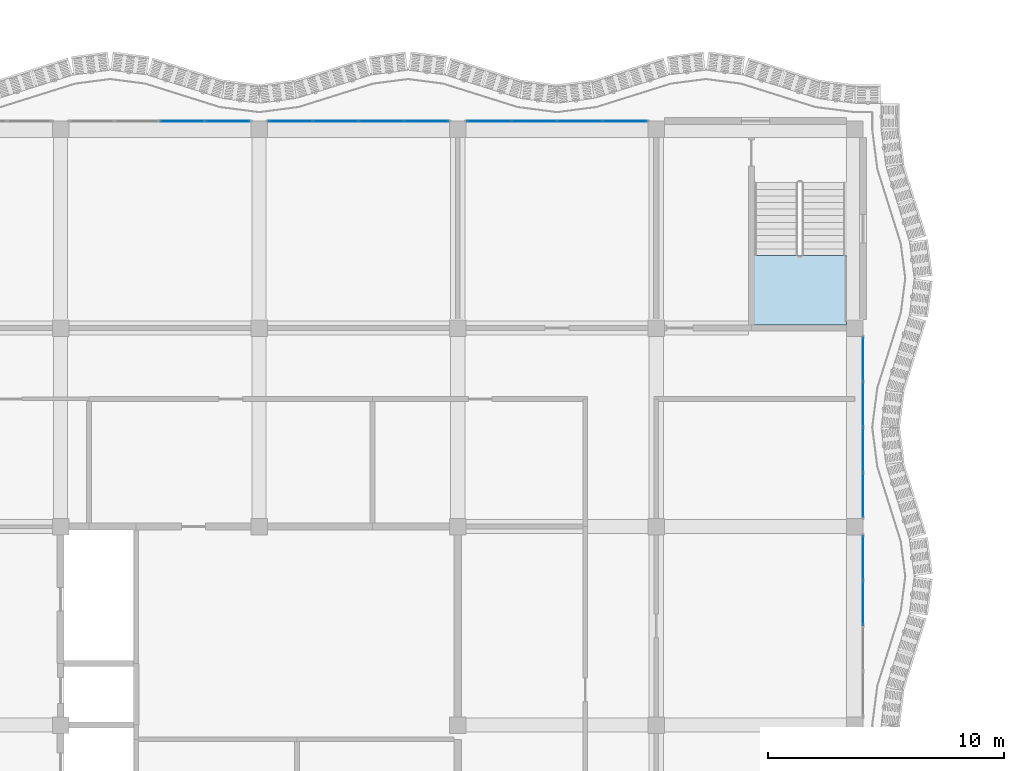
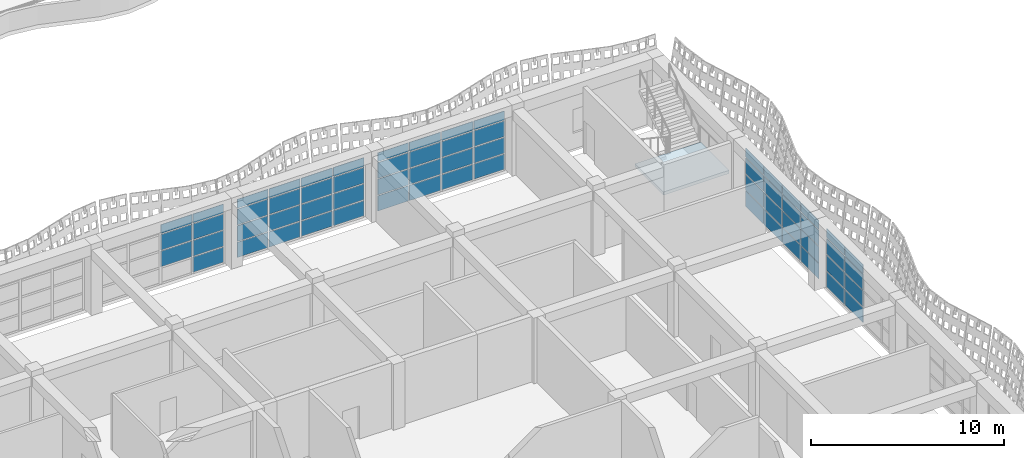
# One storey, part 99 of 163: 63 plates, 1 slab, 6 elements without a shape of their own.
"""IFC4 building model written with IfcOpenShell, lengths in metres."""

from ifc_helpers import new_model, si_unit, direction, frame, origin, origin_2d, place, context, subcontext, project, spatial, polyline, rectangle, outline, extrude, material, layer, layer_set, type_object, element, aggregate, save


model = new_model("IFC4")

# Units and contexts
model_context = context("Model", 3, precision=1e-05, world=origin(), true_north=direction((0.0, 1.0)))
body_context = subcontext(model_context, "Body", "Model", "MODEL_VIEW")
ifc_project = project(units=[si_unit("LENGTHUNIT", "METRE"), si_unit("AREAUNIT", "SQUARE_METRE"), si_unit("VOLUMEUNIT", "CUBIC_METRE"), si_unit("PLANEANGLEUNIT", "RADIAN"), si_unit("MASSUNIT", "GRAM", prefix="KILO")], contexts=[model_context])

# Site, building, storey
site_placement = place(None, origin())
site = spatial("IfcSite", under=ifc_project, at=site_placement, CompositionType="ELEMENT")
building_placement = place(site_placement, origin())
building = spatial("IfcBuilding", under=site, at=building_placement, Name="Rain Tree Exposition and Congress Centre", CompositionType="ELEMENT")
storey_placement = place(building_placement, frame((0.0, 0.0, 10.5)))
storey = spatial("IfcBuildingStorey", under=building, at=storey_placement, Name="L02", CompositionType="ELEMENT", Elevation=10.5)

# Curtain wall, plates
ifc_material_1 = material(Name="Aluminium curtain wall", Category="aluminium")
curtain_wall_type = type_object("IfcCurtainWallType", Name="Wing curtain wall 1925", PredefinedType="NOTDEFINED", material=ifc_material_1)
curtain_wall_1_placement = place(storey_placement, origin())
curtain_wall_1 = element("IfcCurtainWall", 1, at=curtain_wall_1_placement, inside=storey, type_object=curtain_wall_type, Name="Curtain wall CWW305", PredefinedType="NOTDEFINED")
ifc_material_2 = material(Name="Double glazed unit", Category="glass")
ifc_layer_1 = layer(ifc_material_2, 0.028076171875)
ifc_layer_set_1 = layer_set([ifc_layer_1], Name="Double glazed unit")
plate_type = type_object("IfcPlateType", Name="Wing glazing panel 28", PredefinedType="CURTAIN_PANEL", material=ifc_layer_set_1)
plate_1_placement = place(storey_placement, frame((21.96240234375, 50.75, 1.080078125), z_axis=(0.0, 0.0, 1.0), x_axis=(1.0, 0.0, 0.0)))
plate_1 = element("IfcPlate", 2, at=plate_1_placement, type_object=plate_type, Name="CWW305 panel 3.2", PredefinedType="CURTAIN_PANEL", context=body_context, shape_type="SweptSolid", body=[
    extrude(rectangle(XDim=1.864990234375, YDim=0.028076171875, at=origin_2d()), origin(), (0.0, 0.0, 1.0), 0.989990234375),
])
plate_2_placement = place(storey_placement, frame((21.96240234375, 50.75, 2.1298828125), z_axis=(0.0, 0.0, 1.0), x_axis=(1.0, 0.0, 0.0)))
plate_2 = element("IfcPlate", 3, at=plate_2_placement, type_object=plate_type, Name="CWW305 panel 3.3", PredefinedType="CURTAIN_PANEL", context=body_context, shape_type="SweptSolid", body=[
    extrude(rectangle(XDim=1.864990234375, YDim=0.028076171875, at=origin_2d()), origin(), (0.0, 0.0, 1.0), 0.989990234375),
])
plate_3_placement = place(storey_placement, frame((21.96240234375, 50.75, 3.179931640625), z_axis=(0.0, 0.0, 1.0), x_axis=(1.0, 0.0, 0.0)))
plate_3 = element("IfcPlate", 4, at=plate_3_placement, type_object=plate_type, Name="CWW305 panel 3.4", PredefinedType="CURTAIN_PANEL", context=body_context, shape_type="SweptSolid", body=[
    extrude(rectangle(XDim=1.864990234375, YDim=0.028076171875, at=origin_2d()), origin(), (0.0, 0.0, 1.0), 0.56005859375),
])
plate_4_placement = place(storey_placement, frame((23.87255859375, 50.75, 0.06005859375), z_axis=(0.0, 0.0, 1.0), x_axis=(1.0, 0.0, 0.0)))
plate_4 = element("IfcPlate", 5, at=plate_4_placement, type_object=plate_type, Name="CWW305 panel 4.1", PredefinedType="CURTAIN_PANEL", context=body_context, shape_type="SweptSolid", body=[
    extrude(rectangle(XDim=1.8349609375, YDim=0.028076171875, at=origin_2d()), origin(), (0.0, 0.0, 1.0), 0.9599609375),
])
plate_5_placement = place(storey_placement, frame((23.87255859375, 50.75, 1.080078125), z_axis=(0.0, 0.0, 1.0), x_axis=(1.0, 0.0, 0.0)))
plate_5 = element("IfcPlate", 6, at=plate_5_placement, type_object=plate_type, Name="CWW305 panel 4.2", PredefinedType="CURTAIN_PANEL", context=body_context, shape_type="SweptSolid", body=[
    extrude(rectangle(XDim=1.8349609375, YDim=0.028076171875, at=origin_2d()), origin(), (0.0, 0.0, 1.0), 0.989990234375),
])
plate_6_placement = place(storey_placement, frame((23.87255859375, 50.75, 2.1298828125), z_axis=(0.0, 0.0, 1.0), x_axis=(1.0, 0.0, 0.0)))
plate_6 = element("IfcPlate", 7, at=plate_6_placement, type_object=plate_type, Name="CWW305 panel 4.3", PredefinedType="CURTAIN_PANEL", context=body_context, shape_type="SweptSolid", body=[
    extrude(rectangle(XDim=1.8349609375, YDim=0.028076171875, at=origin_2d()), origin(), (0.0, 0.0, 1.0), 0.989990234375),
])
plate_7_placement = place(storey_placement, frame((23.87255859375, 50.75, 3.179931640625), z_axis=(0.0, 0.0, 1.0), x_axis=(1.0, 0.0, 0.0)))
plate_7 = element("IfcPlate", 8, at=plate_7_placement, type_object=plate_type, Name="CWW305 panel 4.4", PredefinedType="CURTAIN_PANEL", context=body_context, shape_type="SweptSolid", body=[
    extrude(rectangle(XDim=1.8349609375, YDim=0.028076171875, at=origin_2d()), origin(), (0.0, 0.0, 1.0), 0.56005859375),
])
aggregate(curtain_wall_1, [plate_1, plate_2, plate_3, plate_4, plate_5, plate_6, plate_7])

curtain_wall_2_placement = place(storey_placement, origin())
curtain_wall_2 = element("IfcCurtainWall", 9, at=curtain_wall_2_placement, inside=storey, type_object=curtain_wall_type, Name="Curtain wall CWW306", PredefinedType="NOTDEFINED")
plate_8_placement = place(storey_placement, frame((26.527587890625, 50.75, 0.06005859375), z_axis=(0.0, 0.0, 1.0), x_axis=(1.0, 0.0, 0.0)))
plate_8 = element("IfcPlate", 10, at=plate_8_placement, type_object=plate_type, Name="CWW306 panel 1.1", PredefinedType="CURTAIN_PANEL", context=body_context, shape_type="SweptSolid", body=[
    extrude(rectangle(XDim=1.8349609375, YDim=0.028076171875, at=origin_2d()), origin(), (0.0, 0.0, 1.0), 0.9599609375),
])
plate_9_placement = place(storey_placement, frame((26.527587890625, 50.75, 1.080078125), z_axis=(0.0, 0.0, 1.0), x_axis=(1.0, 0.0, 0.0)))
plate_9 = element("IfcPlate", 11, at=plate_9_placement, type_object=plate_type, Name="CWW306 panel 1.2", PredefinedType="CURTAIN_PANEL", context=body_context, shape_type="SweptSolid", body=[
    extrude(rectangle(XDim=1.8349609375, YDim=0.028076171875, at=origin_2d()), origin(), (0.0, 0.0, 1.0), 0.989990234375),
])
plate_10_placement = place(storey_placement, frame((26.527587890625, 50.75, 2.1298828125), z_axis=(0.0, 0.0, 1.0), x_axis=(1.0, 0.0, 0.0)))
plate_10 = element("IfcPlate", 12, at=plate_10_placement, type_object=plate_type, Name="CWW306 panel 1.3", PredefinedType="CURTAIN_PANEL", context=body_context, shape_type="SweptSolid", body=[
    extrude(rectangle(XDim=1.8349609375, YDim=0.028076171875, at=origin_2d()), origin(), (0.0, 0.0, 1.0), 0.989990234375),
])
plate_11_placement = place(storey_placement, frame((26.527587890625, 50.75, 3.179931640625), z_axis=(0.0, 0.0, 1.0), x_axis=(1.0, 0.0, 0.0)))
plate_11 = element("IfcPlate", 13, at=plate_11_placement, type_object=plate_type, Name="CWW306 panel 1.4", PredefinedType="CURTAIN_PANEL", context=body_context, shape_type="SweptSolid", body=[
    extrude(rectangle(XDim=1.8349609375, YDim=0.028076171875, at=origin_2d()), origin(), (0.0, 0.0, 1.0), 0.56005859375),
])
plate_12_placement = place(storey_placement, frame((28.4375, 50.75, 0.06005859375), z_axis=(0.0, 0.0, 1.0), x_axis=(1.0, 0.0, 0.0)))
plate_12 = element("IfcPlate", 14, at=plate_12_placement, type_object=plate_type, Name="CWW306 panel 2.1", PredefinedType="CURTAIN_PANEL", context=body_context, shape_type="SweptSolid", body=[
    extrude(rectangle(XDim=1.864990234375, YDim=0.028076171875, at=origin_2d()), origin(), (0.0, 0.0, 1.0), 0.9599609375),
])
plate_13_placement = place(storey_placement, frame((28.4375, 50.75, 1.080078125), z_axis=(0.0, 0.0, 1.0), x_axis=(1.0, 0.0, 0.0)))
plate_13 = element("IfcPlate", 15, at=plate_13_placement, type_object=plate_type, Name="CWW306 panel 2.2", PredefinedType="CURTAIN_PANEL", context=body_context, shape_type="SweptSolid", body=[
    extrude(rectangle(XDim=1.864990234375, YDim=0.028076171875, at=origin_2d()), origin(), (0.0, 0.0, 1.0), 0.989990234375),
])
plate_14_placement = place(storey_placement, frame((28.4375, 50.75, 2.1298828125), z_axis=(0.0, 0.0, 1.0), x_axis=(1.0, 0.0, 0.0)))
plate_14 = element("IfcPlate", 16, at=plate_14_placement, type_object=plate_type, Name="CWW306 panel 2.3", PredefinedType="CURTAIN_PANEL", context=body_context, shape_type="SweptSolid", body=[
    extrude(rectangle(XDim=1.864990234375, YDim=0.028076171875, at=origin_2d()), origin(), (0.0, 0.0, 1.0), 0.989990234375),
])
plate_15_placement = place(storey_placement, frame((28.4375, 50.75, 3.179931640625), z_axis=(0.0, 0.0, 1.0), x_axis=(1.0, 0.0, 0.0)))
plate_15 = element("IfcPlate", 17, at=plate_15_placement, type_object=plate_type, Name="CWW306 panel 2.4", PredefinedType="CURTAIN_PANEL", context=body_context, shape_type="SweptSolid", body=[
    extrude(rectangle(XDim=1.864990234375, YDim=0.028076171875, at=origin_2d()), origin(), (0.0, 0.0, 1.0), 0.56005859375),
])
plate_16_placement = place(storey_placement, frame((30.362548828125, 50.75, 0.06005859375), z_axis=(0.0, 0.0, 1.0), x_axis=(1.0, 0.0, 0.0)))
plate_16 = element("IfcPlate", 18, at=plate_16_placement, type_object=plate_type, Name="CWW306 panel 3.1", PredefinedType="CURTAIN_PANEL", context=body_context, shape_type="SweptSolid", body=[
    extrude(rectangle(XDim=1.864990234375, YDim=0.028076171875, at=origin_2d()), origin(), (0.0, 0.0, 1.0), 0.9599609375),
])
plate_17_placement = place(storey_placement, frame((30.362548828125, 50.75, 1.080078125), z_axis=(0.0, 0.0, 1.0), x_axis=(1.0, 0.0, 0.0)))
plate_17 = element("IfcPlate", 19, at=plate_17_placement, type_object=plate_type, Name="CWW306 panel 3.2", PredefinedType="CURTAIN_PANEL", context=body_context, shape_type="SweptSolid", body=[
    extrude(rectangle(XDim=1.864990234375, YDim=0.028076171875, at=origin_2d()), origin(), (0.0, 0.0, 1.0), 0.989990234375),
])
plate_18_placement = place(storey_placement, frame((30.362548828125, 50.75, 2.1298828125), z_axis=(0.0, 0.0, 1.0), x_axis=(1.0, 0.0, 0.0)))
plate_18 = element("IfcPlate", 20, at=plate_18_placement, type_object=plate_type, Name="CWW306 panel 3.3", PredefinedType="CURTAIN_PANEL", context=body_context, shape_type="SweptSolid", body=[
    extrude(rectangle(XDim=1.864990234375, YDim=0.028076171875, at=origin_2d()), origin(), (0.0, 0.0, 1.0), 0.989990234375),
])
plate_19_placement = place(storey_placement, frame((30.362548828125, 50.75, 3.179931640625), z_axis=(0.0, 0.0, 1.0), x_axis=(1.0, 0.0, 0.0)))
plate_19 = element("IfcPlate", 21, at=plate_19_placement, type_object=plate_type, Name="CWW306 panel 3.4", PredefinedType="CURTAIN_PANEL", context=body_context, shape_type="SweptSolid", body=[
    extrude(rectangle(XDim=1.864990234375, YDim=0.028076171875, at=origin_2d()), origin(), (0.0, 0.0, 1.0), 0.56005859375),
])
plate_20_placement = place(storey_placement, frame((32.2724609375, 50.75, 0.06005859375), z_axis=(0.0, 0.0, 1.0), x_axis=(1.0, 0.0, 0.0)))
plate_20 = element("IfcPlate", 22, at=plate_20_placement, type_object=plate_type, Name="CWW306 panel 4.1", PredefinedType="CURTAIN_PANEL", context=body_context, shape_type="SweptSolid", body=[
    extrude(rectangle(XDim=1.8349609375, YDim=0.028076171875, at=origin_2d()), origin(), (0.0, 0.0, 1.0), 0.9599609375),
])
plate_21_placement = place(storey_placement, frame((32.2724609375, 50.75, 1.080078125), z_axis=(0.0, 0.0, 1.0), x_axis=(1.0, 0.0, 0.0)))
plate_21 = element("IfcPlate", 23, at=plate_21_placement, type_object=plate_type, Name="CWW306 panel 4.2", PredefinedType="CURTAIN_PANEL", context=body_context, shape_type="SweptSolid", body=[
    extrude(rectangle(XDim=1.8349609375, YDim=0.028076171875, at=origin_2d()), origin(), (0.0, 0.0, 1.0), 0.989990234375),
])
plate_22_placement = place(storey_placement, frame((32.2724609375, 50.75, 2.1298828125), z_axis=(0.0, 0.0, 1.0), x_axis=(1.0, 0.0, 0.0)))
plate_22 = element("IfcPlate", 24, at=plate_22_placement, type_object=plate_type, Name="CWW306 panel 4.3", PredefinedType="CURTAIN_PANEL", context=body_context, shape_type="SweptSolid", body=[
    extrude(rectangle(XDim=1.8349609375, YDim=0.028076171875, at=origin_2d()), origin(), (0.0, 0.0, 1.0), 0.989990234375),
])
plate_23_placement = place(storey_placement, frame((32.2724609375, 50.75, 3.179931640625), z_axis=(0.0, 0.0, 1.0), x_axis=(1.0, 0.0, 0.0)))
plate_23 = element("IfcPlate", 25, at=plate_23_placement, type_object=plate_type, Name="CWW306 panel 4.4", PredefinedType="CURTAIN_PANEL", context=body_context, shape_type="SweptSolid", body=[
    extrude(rectangle(XDim=1.8349609375, YDim=0.028076171875, at=origin_2d()), origin(), (0.0, 0.0, 1.0), 0.56005859375),
])
aggregate(curtain_wall_2, [plate_8, plate_9, plate_10, plate_11, plate_12, plate_13, plate_14, plate_15, plate_16, plate_17, plate_18, plate_19, plate_20, plate_21, plate_22, plate_23])

curtain_wall_3_placement = place(storey_placement, origin())
curtain_wall_3 = element("IfcCurtainWall", 26, at=curtain_wall_3_placement, inside=storey, type_object=curtain_wall_type, Name="Curtain wall CWW307", PredefinedType="NOTDEFINED")
plate_24_placement = place(storey_placement, frame((34.927490234375, 50.75, 0.06005859375), z_axis=(0.0, 0.0, 1.0), x_axis=(1.0, 0.0, 0.0)))
plate_24 = element("IfcPlate", 27, at=plate_24_placement, type_object=plate_type, Name="CWW307 panel 1.1", PredefinedType="CURTAIN_PANEL", context=body_context, shape_type="SweptSolid", body=[
    extrude(rectangle(XDim=1.8349609375, YDim=0.028076171875, at=origin_2d()), origin(), (0.0, 0.0, 1.0), 0.9599609375),
])
plate_25_placement = place(storey_placement, frame((34.927490234375, 50.75, 1.080078125), z_axis=(0.0, 0.0, 1.0), x_axis=(1.0, 0.0, 0.0)))
plate_25 = element("IfcPlate", 28, at=plate_25_placement, type_object=plate_type, Name="CWW307 panel 1.2", PredefinedType="CURTAIN_PANEL", context=body_context, shape_type="SweptSolid", body=[
    extrude(rectangle(XDim=1.8349609375, YDim=0.028076171875, at=origin_2d()), origin(), (0.0, 0.0, 1.0), 0.989990234375),
])
plate_26_placement = place(storey_placement, frame((34.927490234375, 50.75, 2.1298828125), z_axis=(0.0, 0.0, 1.0), x_axis=(1.0, 0.0, 0.0)))
plate_26 = element("IfcPlate", 29, at=plate_26_placement, type_object=plate_type, Name="CWW307 panel 1.3", PredefinedType="CURTAIN_PANEL", context=body_context, shape_type="SweptSolid", body=[
    extrude(rectangle(XDim=1.8349609375, YDim=0.028076171875, at=origin_2d()), origin(), (0.0, 0.0, 1.0), 0.989990234375),
])
plate_27_placement = place(storey_placement, frame((34.927490234375, 50.75, 3.179931640625), z_axis=(0.0, 0.0, 1.0), x_axis=(1.0, 0.0, 0.0)))
plate_27 = element("IfcPlate", 30, at=plate_27_placement, type_object=plate_type, Name="CWW307 panel 1.4", PredefinedType="CURTAIN_PANEL", context=body_context, shape_type="SweptSolid", body=[
    extrude(rectangle(XDim=1.8349609375, YDim=0.028076171875, at=origin_2d()), origin(), (0.0, 0.0, 1.0), 0.56005859375),
])
plate_28_placement = place(storey_placement, frame((36.83740234375, 50.75, 0.06005859375), z_axis=(0.0, 0.0, 1.0), x_axis=(1.0, 0.0, 0.0)))
plate_28 = element("IfcPlate", 31, at=plate_28_placement, type_object=plate_type, Name="CWW307 panel 2.1", PredefinedType="CURTAIN_PANEL", context=body_context, shape_type="SweptSolid", body=[
    extrude(rectangle(XDim=1.864990234375, YDim=0.028076171875, at=origin_2d()), origin(), (0.0, 0.0, 1.0), 0.9599609375),
])
plate_29_placement = place(storey_placement, frame((36.83740234375, 50.75, 1.080078125), z_axis=(0.0, 0.0, 1.0), x_axis=(1.0, 0.0, 0.0)))
plate_29 = element("IfcPlate", 32, at=plate_29_placement, type_object=plate_type, Name="CWW307 panel 2.2", PredefinedType="CURTAIN_PANEL", context=body_context, shape_type="SweptSolid", body=[
    extrude(rectangle(XDim=1.864990234375, YDim=0.028076171875, at=origin_2d()), origin(), (0.0, 0.0, 1.0), 0.989990234375),
])
plate_30_placement = place(storey_placement, frame((36.83740234375, 50.75, 2.1298828125), z_axis=(0.0, 0.0, 1.0), x_axis=(1.0, 0.0, 0.0)))
plate_30 = element("IfcPlate", 33, at=plate_30_placement, type_object=plate_type, Name="CWW307 panel 2.3", PredefinedType="CURTAIN_PANEL", context=body_context, shape_type="SweptSolid", body=[
    extrude(rectangle(XDim=1.864990234375, YDim=0.028076171875, at=origin_2d()), origin(), (0.0, 0.0, 1.0), 0.989990234375),
])
plate_31_placement = place(storey_placement, frame((36.83740234375, 50.75, 3.179931640625), z_axis=(0.0, 0.0, 1.0), x_axis=(1.0, 0.0, 0.0)))
plate_31 = element("IfcPlate", 34, at=plate_31_placement, type_object=plate_type, Name="CWW307 panel 2.4", PredefinedType="CURTAIN_PANEL", context=body_context, shape_type="SweptSolid", body=[
    extrude(rectangle(XDim=1.864990234375, YDim=0.028076171875, at=origin_2d()), origin(), (0.0, 0.0, 1.0), 0.56005859375),
])
plate_32_placement = place(storey_placement, frame((38.762451171875, 50.75, 0.06005859375), z_axis=(0.0, 0.0, 1.0), x_axis=(1.0, 0.0, 0.0)))
plate_32 = element("IfcPlate", 35, at=plate_32_placement, type_object=plate_type, Name="CWW307 panel 3.1", PredefinedType="CURTAIN_PANEL", context=body_context, shape_type="SweptSolid", body=[
    extrude(rectangle(XDim=1.864990234375, YDim=0.028076171875, at=origin_2d()), origin(), (0.0, 0.0, 1.0), 0.9599609375),
])
plate_33_placement = place(storey_placement, frame((38.762451171875, 50.75, 1.080078125), z_axis=(0.0, 0.0, 1.0), x_axis=(1.0, 0.0, 0.0)))
plate_33 = element("IfcPlate", 36, at=plate_33_placement, type_object=plate_type, Name="CWW307 panel 3.2", PredefinedType="CURTAIN_PANEL", context=body_context, shape_type="SweptSolid", body=[
    extrude(rectangle(XDim=1.864990234375, YDim=0.028076171875, at=origin_2d()), origin(), (0.0, 0.0, 1.0), 0.989990234375),
])
plate_34_placement = place(storey_placement, frame((38.762451171875, 50.75, 2.1298828125), z_axis=(0.0, 0.0, 1.0), x_axis=(1.0, 0.0, 0.0)))
plate_34 = element("IfcPlate", 37, at=plate_34_placement, type_object=plate_type, Name="CWW307 panel 3.3", PredefinedType="CURTAIN_PANEL", context=body_context, shape_type="SweptSolid", body=[
    extrude(rectangle(XDim=1.864990234375, YDim=0.028076171875, at=origin_2d()), origin(), (0.0, 0.0, 1.0), 0.989990234375),
])
plate_35_placement = place(storey_placement, frame((38.762451171875, 50.75, 3.179931640625), z_axis=(0.0, 0.0, 1.0), x_axis=(1.0, 0.0, 0.0)))
plate_35 = element("IfcPlate", 38, at=plate_35_placement, type_object=plate_type, Name="CWW307 panel 3.4", PredefinedType="CURTAIN_PANEL", context=body_context, shape_type="SweptSolid", body=[
    extrude(rectangle(XDim=1.864990234375, YDim=0.028076171875, at=origin_2d()), origin(), (0.0, 0.0, 1.0), 0.56005859375),
])
plate_36_placement = place(storey_placement, frame((40.672607421875, 50.75, 0.06005859375), z_axis=(0.0, 0.0, 1.0), x_axis=(1.0, 0.0, 0.0)))
plate_36 = element("IfcPlate", 39, at=plate_36_placement, type_object=plate_type, Name="CWW307 panel 4.1", PredefinedType="CURTAIN_PANEL", context=body_context, shape_type="SweptSolid", body=[
    extrude(rectangle(XDim=1.8349609375, YDim=0.028076171875, at=origin_2d()), origin(), (0.0, 0.0, 1.0), 0.9599609375),
])
plate_37_placement = place(storey_placement, frame((40.672607421875, 50.75, 1.080078125), z_axis=(0.0, 0.0, 1.0), x_axis=(1.0, 0.0, 0.0)))
plate_37 = element("IfcPlate", 40, at=plate_37_placement, type_object=plate_type, Name="CWW307 panel 4.2", PredefinedType="CURTAIN_PANEL", context=body_context, shape_type="SweptSolid", body=[
    extrude(rectangle(XDim=1.8349609375, YDim=0.028076171875, at=origin_2d()), origin(), (0.0, 0.0, 1.0), 0.989990234375),
])
plate_38_placement = place(storey_placement, frame((40.672607421875, 50.75, 2.1298828125), z_axis=(0.0, 0.0, 1.0), x_axis=(1.0, 0.0, 0.0)))
plate_38 = element("IfcPlate", 41, at=plate_38_placement, type_object=plate_type, Name="CWW307 panel 4.3", PredefinedType="CURTAIN_PANEL", context=body_context, shape_type="SweptSolid", body=[
    extrude(rectangle(XDim=1.8349609375, YDim=0.028076171875, at=origin_2d()), origin(), (0.0, 0.0, 1.0), 0.989990234375),
])
plate_39_placement = place(storey_placement, frame((40.672607421875, 50.75, 3.179931640625), z_axis=(0.0, 0.0, 1.0), x_axis=(1.0, 0.0, 0.0)))
plate_39 = element("IfcPlate", 42, at=plate_39_placement, type_object=plate_type, Name="CWW307 panel 4.4", PredefinedType="CURTAIN_PANEL", context=body_context, shape_type="SweptSolid", body=[
    extrude(rectangle(XDim=1.8349609375, YDim=0.028076171875, at=origin_2d()), origin(), (0.0, 0.0, 1.0), 0.56005859375),
])
aggregate(curtain_wall_3, [plate_24, plate_25, plate_26, plate_27, plate_28, plate_29, plate_30, plate_31, plate_32, plate_33, plate_34, plate_35, plate_36, plate_37, plate_38, plate_39])

curtain_wall_4_placement = place(storey_placement, origin())
curtain_wall_4 = element("IfcCurtainWall", 43, at=curtain_wall_4_placement, inside=storey, type_object=curtain_wall_type, Name="Curtain wall CWW314", PredefinedType="NOTDEFINED")
plate_40_placement = place(storey_placement, frame((50.75, 30.362548828125, 0.06005859375), z_axis=(0.0, 0.0, 1.0), x_axis=(0.0, 1.0, 0.0)))
plate_40 = element("IfcPlate", 44, at=plate_40_placement, type_object=plate_type, Name="CWW314 panel 3.1", PredefinedType="CURTAIN_PANEL", context=body_context, shape_type="SweptSolid", body=[
    extrude(rectangle(XDim=1.864990234375, YDim=0.028076171875, at=origin_2d()), origin(), (0.0, 0.0, 1.0), 0.9599609375),
])
plate_41_placement = place(storey_placement, frame((50.75, 30.362548828125, 1.080078125), z_axis=(0.0, 0.0, 1.0), x_axis=(0.0, 1.0, 0.0)))
plate_41 = element("IfcPlate", 45, at=plate_41_placement, type_object=plate_type, Name="CWW314 panel 3.2", PredefinedType="CURTAIN_PANEL", context=body_context, shape_type="SweptSolid", body=[
    extrude(rectangle(XDim=1.864990234375, YDim=0.028076171875, at=origin_2d()), origin(), (0.0, 0.0, 1.0), 0.989990234375),
])
plate_42_placement = place(storey_placement, frame((50.75, 30.362548828125, 2.1298828125), z_axis=(0.0, 0.0, 1.0), x_axis=(0.0, 1.0, 0.0)))
plate_42 = element("IfcPlate", 46, at=plate_42_placement, type_object=plate_type, Name="CWW314 panel 3.3", PredefinedType="CURTAIN_PANEL", context=body_context, shape_type="SweptSolid", body=[
    extrude(rectangle(XDim=1.864990234375, YDim=0.028076171875, at=origin_2d()), origin(), (0.0, 0.0, 1.0), 0.989990234375),
])
plate_43_placement = place(storey_placement, frame((50.75, 30.362548828125, 3.179931640625), z_axis=(0.0, 0.0, 1.0), x_axis=(0.0, 1.0, 0.0)))
plate_43 = element("IfcPlate", 47, at=plate_43_placement, type_object=plate_type, Name="CWW314 panel 3.4", PredefinedType="CURTAIN_PANEL", context=body_context, shape_type="SweptSolid", body=[
    extrude(rectangle(XDim=1.864990234375, YDim=0.028076171875, at=origin_2d()), origin(), (0.0, 0.0, 1.0), 0.56005859375),
])
plate_44_placement = place(storey_placement, frame((50.75, 32.2724609375, 0.06005859375), z_axis=(0.0, 0.0, 1.0), x_axis=(0.0, 1.0, 0.0)))
plate_44 = element("IfcPlate", 48, at=plate_44_placement, type_object=plate_type, Name="CWW314 panel 4.1", PredefinedType="CURTAIN_PANEL", context=body_context, shape_type="SweptSolid", body=[
    extrude(rectangle(XDim=1.8349609375, YDim=0.028076171875, at=origin_2d()), origin(), (0.0, 0.0, 1.0), 0.9599609375),
])
plate_45_placement = place(storey_placement, frame((50.75, 32.2724609375, 1.080078125), z_axis=(0.0, 0.0, 1.0), x_axis=(0.0, 1.0, 0.0)))
plate_45 = element("IfcPlate", 49, at=plate_45_placement, type_object=plate_type, Name="CWW314 panel 4.2", PredefinedType="CURTAIN_PANEL", context=body_context, shape_type="SweptSolid", body=[
    extrude(rectangle(XDim=1.8349609375, YDim=0.028076171875, at=origin_2d()), origin(), (0.0, 0.0, 1.0), 0.989990234375),
])
plate_46_placement = place(storey_placement, frame((50.75, 32.2724609375, 2.1298828125), z_axis=(0.0, 0.0, 1.0), x_axis=(0.0, 1.0, 0.0)))
plate_46 = element("IfcPlate", 50, at=plate_46_placement, type_object=plate_type, Name="CWW314 panel 4.3", PredefinedType="CURTAIN_PANEL", context=body_context, shape_type="SweptSolid", body=[
    extrude(rectangle(XDim=1.8349609375, YDim=0.028076171875, at=origin_2d()), origin(), (0.0, 0.0, 1.0), 0.989990234375),
])
plate_47_placement = place(storey_placement, frame((50.75, 32.2724609375, 3.179931640625), z_axis=(0.0, 0.0, 1.0), x_axis=(0.0, 1.0, 0.0)))
plate_47 = element("IfcPlate", 51, at=plate_47_placement, type_object=plate_type, Name="CWW314 panel 4.4", PredefinedType="CURTAIN_PANEL", context=body_context, shape_type="SweptSolid", body=[
    extrude(rectangle(XDim=1.8349609375, YDim=0.028076171875, at=origin_2d()), origin(), (0.0, 0.0, 1.0), 0.56005859375),
])
aggregate(curtain_wall_4, [plate_40, plate_41, plate_42, plate_43, plate_44, plate_45, plate_46, plate_47])

curtain_wall_5_placement = place(storey_placement, origin())
curtain_wall_5 = element("IfcCurtainWall", 52, at=curtain_wall_5_placement, inside=storey, type_object=curtain_wall_type, Name="Curtain wall CWW315", PredefinedType="NOTDEFINED")
plate_48_placement = place(storey_placement, frame((50.75, 34.927490234375, 0.06005859375), z_axis=(0.0, 0.0, 1.0), x_axis=(0.0, 1.0, 0.0)))
plate_48 = element("IfcPlate", 53, at=plate_48_placement, type_object=plate_type, Name="CWW315 panel 1.1", PredefinedType="CURTAIN_PANEL", context=body_context, shape_type="SweptSolid", body=[
    extrude(rectangle(XDim=1.8349609375, YDim=0.028076171875, at=origin_2d()), origin(), (0.0, 0.0, 1.0), 0.9599609375),
])
plate_49_placement = place(storey_placement, frame((50.75, 34.927490234375, 1.080078125), z_axis=(0.0, 0.0, 1.0), x_axis=(0.0, 1.0, 0.0)))
plate_49 = element("IfcPlate", 54, at=plate_49_placement, type_object=plate_type, Name="CWW315 panel 1.2", PredefinedType="CURTAIN_PANEL", context=body_context, shape_type="SweptSolid", body=[
    extrude(rectangle(XDim=1.8349609375, YDim=0.028076171875, at=origin_2d()), origin(), (0.0, 0.0, 1.0), 0.989990234375),
])
plate_50_placement = place(storey_placement, frame((50.75, 34.927490234375, 2.1298828125), z_axis=(0.0, 0.0, 1.0), x_axis=(0.0, 1.0, 0.0)))
plate_50 = element("IfcPlate", 55, at=plate_50_placement, type_object=plate_type, Name="CWW315 panel 1.3", PredefinedType="CURTAIN_PANEL", context=body_context, shape_type="SweptSolid", body=[
    extrude(rectangle(XDim=1.8349609375, YDim=0.028076171875, at=origin_2d()), origin(), (0.0, 0.0, 1.0), 0.989990234375),
])
plate_51_placement = place(storey_placement, frame((50.75, 34.927490234375, 3.179931640625), z_axis=(0.0, 0.0, 1.0), x_axis=(0.0, 1.0, 0.0)))
plate_51 = element("IfcPlate", 56, at=plate_51_placement, type_object=plate_type, Name="CWW315 panel 1.4", PredefinedType="CURTAIN_PANEL", context=body_context, shape_type="SweptSolid", body=[
    extrude(rectangle(XDim=1.8349609375, YDim=0.028076171875, at=origin_2d()), origin(), (0.0, 0.0, 1.0), 0.56005859375),
])
plate_52_placement = place(storey_placement, frame((50.75, 36.83740234375, 0.06005859375), z_axis=(0.0, 0.0, 1.0), x_axis=(0.0, 1.0, 0.0)))
plate_52 = element("IfcPlate", 57, at=plate_52_placement, type_object=plate_type, Name="CWW315 panel 2.1", PredefinedType="CURTAIN_PANEL", context=body_context, shape_type="SweptSolid", body=[
    extrude(rectangle(XDim=1.864990234375, YDim=0.028076171875, at=origin_2d()), origin(), (0.0, 0.0, 1.0), 0.9599609375),
])
plate_53_placement = place(storey_placement, frame((50.75, 36.83740234375, 1.080078125), z_axis=(0.0, 0.0, 1.0), x_axis=(0.0, 1.0, 0.0)))
plate_53 = element("IfcPlate", 58, at=plate_53_placement, type_object=plate_type, Name="CWW315 panel 2.2", PredefinedType="CURTAIN_PANEL", context=body_context, shape_type="SweptSolid", body=[
    extrude(rectangle(XDim=1.864990234375, YDim=0.028076171875, at=origin_2d()), origin(), (0.0, 0.0, 1.0), 0.989990234375),
])
plate_54_placement = place(storey_placement, frame((50.75, 36.83740234375, 2.1298828125), z_axis=(0.0, 0.0, 1.0), x_axis=(0.0, 1.0, 0.0)))
plate_54 = element("IfcPlate", 59, at=plate_54_placement, type_object=plate_type, Name="CWW315 panel 2.3", PredefinedType="CURTAIN_PANEL", context=body_context, shape_type="SweptSolid", body=[
    extrude(rectangle(XDim=1.864990234375, YDim=0.028076171875, at=origin_2d()), origin(), (0.0, 0.0, 1.0), 0.989990234375),
])
plate_55_placement = place(storey_placement, frame((50.75, 36.83740234375, 3.179931640625), z_axis=(0.0, 0.0, 1.0), x_axis=(0.0, 1.0, 0.0)))
plate_55 = element("IfcPlate", 60, at=plate_55_placement, type_object=plate_type, Name="CWW315 panel 2.4", PredefinedType="CURTAIN_PANEL", context=body_context, shape_type="SweptSolid", body=[
    extrude(rectangle(XDim=1.864990234375, YDim=0.028076171875, at=origin_2d()), origin(), (0.0, 0.0, 1.0), 0.56005859375),
])
plate_56_placement = place(storey_placement, frame((50.75, 38.762451171875, 0.06005859375), z_axis=(0.0, 0.0, 1.0), x_axis=(0.0, 1.0, 0.0)))
plate_56 = element("IfcPlate", 61, at=plate_56_placement, type_object=plate_type, Name="CWW315 panel 3.1", PredefinedType="CURTAIN_PANEL", context=body_context, shape_type="SweptSolid", body=[
    extrude(rectangle(XDim=1.864990234375, YDim=0.028076171875, at=origin_2d()), origin(), (0.0, 0.0, 1.0), 0.9599609375),
])
plate_57_placement = place(storey_placement, frame((50.75, 38.762451171875, 1.080078125), z_axis=(0.0, 0.0, 1.0), x_axis=(0.0, 1.0, 0.0)))
plate_57 = element("IfcPlate", 62, at=plate_57_placement, type_object=plate_type, Name="CWW315 panel 3.2", PredefinedType="CURTAIN_PANEL", context=body_context, shape_type="SweptSolid", body=[
    extrude(rectangle(XDim=1.864990234375, YDim=0.028076171875, at=origin_2d()), origin(), (0.0, 0.0, 1.0), 0.989990234375),
])
plate_58_placement = place(storey_placement, frame((50.75, 38.762451171875, 2.1298828125), z_axis=(0.0, 0.0, 1.0), x_axis=(0.0, 1.0, 0.0)))
plate_58 = element("IfcPlate", 63, at=plate_58_placement, type_object=plate_type, Name="CWW315 panel 3.3", PredefinedType="CURTAIN_PANEL", context=body_context, shape_type="SweptSolid", body=[
    extrude(rectangle(XDim=1.864990234375, YDim=0.028076171875, at=origin_2d()), origin(), (0.0, 0.0, 1.0), 0.989990234375),
])
plate_59_placement = place(storey_placement, frame((50.75, 38.762451171875, 3.179931640625), z_axis=(0.0, 0.0, 1.0), x_axis=(0.0, 1.0, 0.0)))
plate_59 = element("IfcPlate", 64, at=plate_59_placement, type_object=plate_type, Name="CWW315 panel 3.4", PredefinedType="CURTAIN_PANEL", context=body_context, shape_type="SweptSolid", body=[
    extrude(rectangle(XDim=1.864990234375, YDim=0.028076171875, at=origin_2d()), origin(), (0.0, 0.0, 1.0), 0.56005859375),
])
plate_60_placement = place(storey_placement, frame((50.75, 40.672607421875, 0.06005859375), z_axis=(0.0, 0.0, 1.0), x_axis=(0.0, 1.0, 0.0)))
plate_60 = element("IfcPlate", 65, at=plate_60_placement, type_object=plate_type, Name="CWW315 panel 4.1", PredefinedType="CURTAIN_PANEL", context=body_context, shape_type="SweptSolid", body=[
    extrude(rectangle(XDim=1.8349609375, YDim=0.028076171875, at=origin_2d()), origin(), (0.0, 0.0, 1.0), 0.9599609375),
])
plate_61_placement = place(storey_placement, frame((50.75, 40.672607421875, 1.080078125), z_axis=(0.0, 0.0, 1.0), x_axis=(0.0, 1.0, 0.0)))
plate_61 = element("IfcPlate", 66, at=plate_61_placement, type_object=plate_type, Name="CWW315 panel 4.2", PredefinedType="CURTAIN_PANEL", context=body_context, shape_type="SweptSolid", body=[
    extrude(rectangle(XDim=1.8349609375, YDim=0.028076171875, at=origin_2d()), origin(), (0.0, 0.0, 1.0), 0.989990234375),
])
plate_62_placement = place(storey_placement, frame((50.75, 40.672607421875, 2.1298828125), z_axis=(0.0, 0.0, 1.0), x_axis=(0.0, 1.0, 0.0)))
plate_62 = element("IfcPlate", 67, at=plate_62_placement, type_object=plate_type, Name="CWW315 panel 4.3", PredefinedType="CURTAIN_PANEL", context=body_context, shape_type="SweptSolid", body=[
    extrude(rectangle(XDim=1.8349609375, YDim=0.028076171875, at=origin_2d()), origin(), (0.0, 0.0, 1.0), 0.989990234375),
])
plate_63_placement = place(storey_placement, frame((50.75, 40.672607421875, 3.179931640625), z_axis=(0.0, 0.0, 1.0), x_axis=(0.0, 1.0, 0.0)))
plate_63 = element("IfcPlate", 68, at=plate_63_placement, type_object=plate_type, Name="CWW315 panel 4.4", PredefinedType="CURTAIN_PANEL", context=body_context, shape_type="SweptSolid", body=[
    extrude(rectangle(XDim=1.8349609375, YDim=0.028076171875, at=origin_2d()), origin(), (0.0, 0.0, 1.0), 0.56005859375),
])
aggregate(curtain_wall_5, [plate_48, plate_49, plate_50, plate_51, plate_52, plate_53, plate_54, plate_55, plate_56, plate_57, plate_58, plate_59, plate_60, plate_61, plate_62, plate_63])

# Stair, slab
ifc_material_3 = material(Name="Precast concrete C50/60", Category="concrete")
stair_type = type_object("IfcStairType", Name="Wing dog-leg stair 1850", PredefinedType="HALF_TURN_STAIR", material=ifc_material_3)
stair_placement = place(storey_placement, origin())
stair = element("IfcStair", 69, at=stair_placement, inside=storey, type_object=stair_type, Name="L02 ST-W4", PredefinedType="HALF_TURN_STAIR")
ifc_material_4 = material(Name="Precast concrete C50/60", Category="concrete")
ifc_layer_2 = layer(ifc_material_4, 0.199951171875)
ifc_layer_set_2 = layer_set([ifc_layer_2], Name="Precast concrete C50/60")
slab_type = type_object("IfcSlabType", Name="Wing stair landing 200", PredefinedType="LANDING", material=ifc_layer_set_2)
slab_placement = place(storey_placement, frame((0.0, 0.0, 2.050048828125)))
slab = element("IfcSlab", 70, at=slab_placement, type_object=slab_type, Name="ST-W4 landing 1", PredefinedType="LANDING", context=body_context, shape_type="SweptSolid", body=[
    extrude(outline(polyline([(46.125, 45.070068359375), (46.125, 42.1220703125), (50.052978515625, 42.1220703125), (50.052978515625, 45.070068359375), (46.125, 45.070068359375)])), origin(), (0.0, 0.0, 1.0), 0.199951171875),
])
aggregate(stair, [slab])

save(model, "model.ifc")
